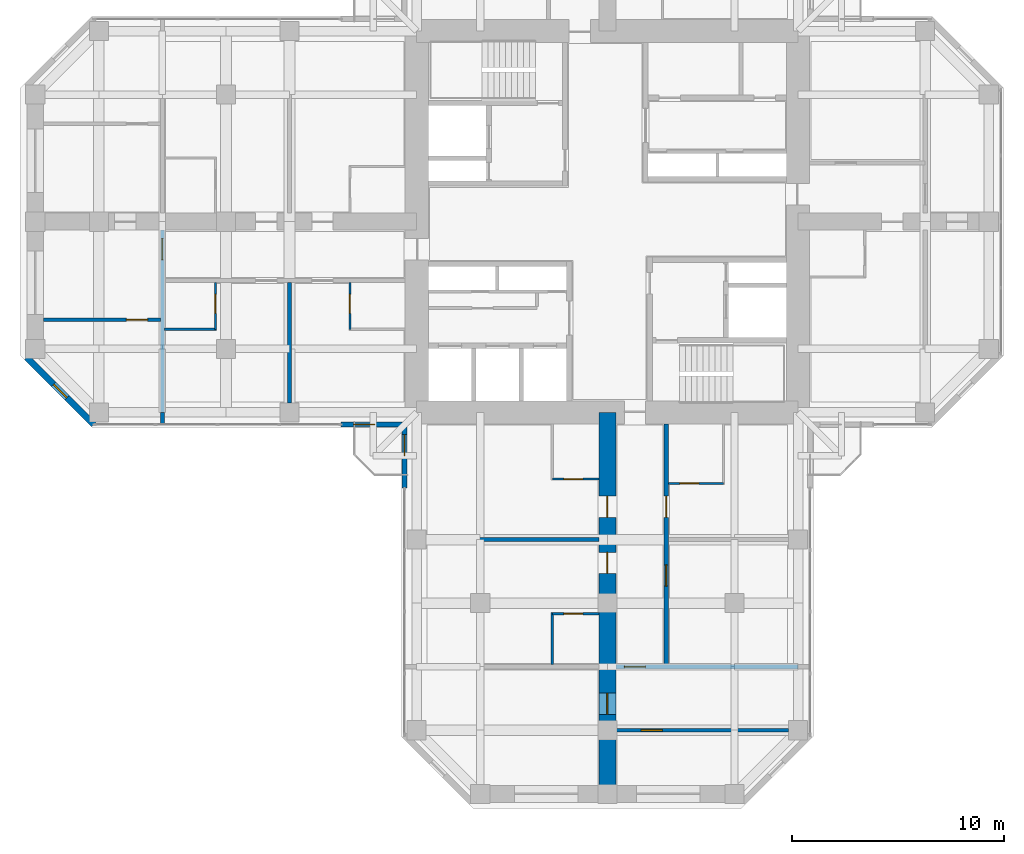
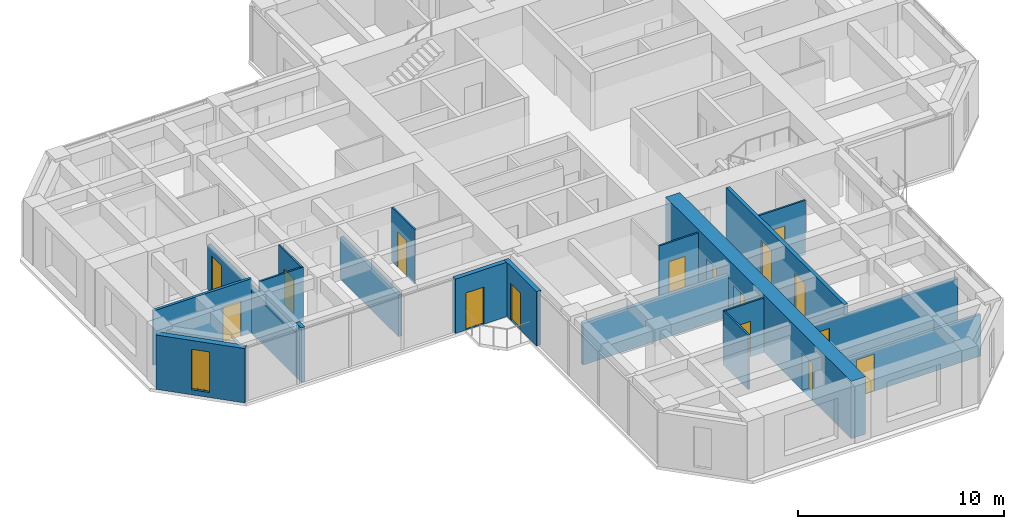
# One storey, part 8 of 13: 19 walls, 16 doors, 1 window, 17 openings.
"""IFC4 building model written with IfcOpenShell, lengths in metres."""

import ifcopenshell
import ifcopenshell.guid

model = None  # the IFC model being written
_history = None  # IfcOwnerHistory: only IFC2X3 demands one
_inside = {}  # id of a spatial element -> (the spatial element, [elements in it])
_under = {}  # id of a project, library or spatial element -> (it, [spatial elements below it])
_declared = {}  # id of a project -> (the project, [libraries it declares])
_typed = {}  # id of a type object -> (the type object, [elements of that type])
_made_of = {}  # id of a material, layer set ... -> (it, [elements and type objects made of it])


def new_model(schema):
    """Start an empty IFC model of exactly this schema.

    Asked for "IFC4X3", IfcOpenShell would pick the latest addendum, in which some entities
    have other attributes; the version numbers below select the first issue.
    IFC2X3 requires an IfcOwnerHistory on every rooted entity: one is made here for all.
    """
    global model, _history
    if schema == "IFC4X3":
        model = ifcopenshell.file(schema_version=(4, 3, 0, 0))
    else:
        model = ifcopenshell.file(schema=schema)
    _inside.clear()
    _under.clear()
    _declared.clear()
    _typed.clear()
    _made_of.clear()
    _history = None
    if model.schema == "IFC2X3":
        org = make("IfcOrganization", Name="unknown")
        user = make(
            "IfcPersonAndOrganization",
            ThePerson=make("IfcPerson", FamilyName="unknown"),
            TheOrganization=org,
        )
        app = make(
            "IfcApplication",
            ApplicationDeveloper=org,
            Version="unknown",
            ApplicationFullName="unknown",
            ApplicationIdentifier="unknown",
        )
        _history = make(
            "IfcOwnerHistory",
            OwningUser=user,
            OwningApplication=app,
            ChangeAction="ADDED",
            CreationDate=0,
        )
    return model


def make(cls, **values):
    """One entity of the class cls with the attributes given. An attribute that is None is left unset."""
    return model.create_entity(
        cls, **{name: value for name, value in values.items() if value is not None}
    )


def rooted(cls, **values):
    """An entity with a GlobalId (a new one), such as an element, a storey or a relation."""
    return make(cls, GlobalId=ifcopenshell.guid.new(), OwnerHistory=_history, **values)


def si_unit(unit_type, name, prefix=None):
    """IfcSIUnit, for example si_unit("LENGTHUNIT", "METRE", prefix="MILLI")."""
    return make("IfcSIUnit", UnitType=unit_type, Prefix=prefix, Name=name)


def assignment(units):
    """IfcUnitAssignment: the units of a project."""
    return None if units is None else make("IfcUnitAssignment", Units=units)


def point(xyz):
    """IfcCartesianPoint."""
    return None if xyz is None else make("IfcCartesianPoint", Coordinates=xyz)


def direction(xyz):
    """IfcDirection."""
    return None if xyz is None else make("IfcDirection", DirectionRatios=xyz)


def frame(location, z_axis=None, x_axis=None):
    """IfcAxis2Placement3D, a coordinate frame: its origin and axes. An axis left out is left unset."""
    return make(
        "IfcAxis2Placement3D",
        Location=point(location),
        Axis=direction(z_axis),
        RefDirection=direction(x_axis),
    )


def frame_2d(location, x_axis=None):
    """IfcAxis2Placement2D, a coordinate frame in the plane: its origin and x axis."""
    return make(
        "IfcAxis2Placement2D", Location=point(location), RefDirection=direction(x_axis)
    )


def origin():
    """The frame at (0, 0, 0) with its axes left unset."""
    return frame((0.0, 0.0, 0.0))


def place(relative_to, where):
    """IfcLocalPlacement: puts the frame where relative to a parent placement (None: the world)."""
    return make(
        "IfcLocalPlacement", PlacementRelTo=relative_to, RelativePlacement=where
    )


def context(
    kind, dimensions, precision=None, world=None, true_north=None, identifier=None
):
    """IfcGeometricRepresentationContext, for example the 3D "Model" context."""
    return make(
        "IfcGeometricRepresentationContext",
        ContextIdentifier=identifier,
        ContextType=kind,
        CoordinateSpaceDimension=dimensions,
        Precision=precision,
        WorldCoordinateSystem=world,
        TrueNorth=true_north,
    )


def subcontext(parent, identifier, kind, view, scale=None):
    """IfcGeometricRepresentationSubContext, for example "Body" below "Model"."""
    return make(
        "IfcGeometricRepresentationSubContext",
        ContextIdentifier=identifier,
        ContextType=kind,
        ParentContext=parent,
        TargetScale=scale,
        TargetView=view,
    )


def project(units=None, contexts=None):
    """IfcProject with its units and contexts."""
    return rooted(
        "IfcProject",
        Name="project",
        RepresentationContexts=contexts,
        UnitsInContext=assignment(units),
    )


def spatial(cls, under=None, at=None, **own):
    """A site, building, storey or space (cls), placed at a placement, below another one or the project."""
    s = rooted(cls, ObjectPlacement=at, **own)
    if under is not None:
        _under.setdefault(under.id(), (under, []))[1].append(s)
    return s


def profile(cls, at=None, kind="AREA", **sizes):
    """A parametric profile (cls). Its sizes go by their IFC names, for example OverallWidth=200.0."""
    return make(cls, ProfileType=kind, Position=at, **sizes)


def rectangle(**sizes):
    """IfcRectangleProfileDef."""
    return profile("IfcRectangleProfileDef", **sizes)


def hollow_rectangle(**sizes):
    """IfcRectangleHollowProfileDef."""
    return profile("IfcRectangleHollowProfileDef", **sizes)


def extrude(swept, where, along, depth):
    """IfcExtrudedAreaSolid: the profile swept, set in the frame where, extruded along a direction by depth."""
    return make(
        "IfcExtrudedAreaSolid",
        SweptArea=swept,
        Position=where,
        ExtrudedDirection=direction(along),
        Depth=depth,
    )


def shape(context_of_items, identifier, shape_type, items):
    """IfcShapeRepresentation: the items that make up one representation, for example the "Body"."""
    return make(
        "IfcShapeRepresentation",
        ContextOfItems=context_of_items,
        RepresentationIdentifier=identifier,
        RepresentationType=shape_type,
        Items=items,
    )


def material(Name=None, Category=None):
    """IfcMaterial."""
    return make("IfcMaterial", Name=Name, Category=Category)


def layer(
    of_material, thickness, ventilated=None, Name=None, Category=None, Priority=None
):
    """IfcMaterialLayer: one layer of a wall or slab, of a material (None: an air gap)."""
    return make(
        "IfcMaterialLayer",
        Material=of_material,
        LayerThickness=thickness,
        IsVentilated=ventilated,
        Name=Name,
        Category=Category,
        Priority=Priority,
    )


def layer_set(layers, Name=None):
    """IfcMaterialLayerSet."""
    return make("IfcMaterialLayerSet", MaterialLayers=layers, LayerSetName=Name)


def constituent(of_material, Name=None, Category=None, fraction=None):
    """IfcMaterialConstituent: one of the materials an element consists of."""
    return make(
        "IfcMaterialConstituent",
        Name=Name,
        Material=of_material,
        Fraction=fraction,
        Category=Category,
    )


def constituent_set(constituents=None, Name=None):
    """IfcMaterialConstituentSet."""
    return make(
        "IfcMaterialConstituentSet", Name=Name, MaterialConstituents=constituents
    )


def made_of(thing, what):
    """Note that an element or type object is made of a material, layer set ...; save() writes the relation."""
    if what is not None:
        _made_of.setdefault(what.id(), (what, []))[1].append(thing)
    return thing


def type_object(cls, material=None, **own):
    """A type object (cls), such as IfcWallType, which elements share."""
    return made_of(rooted(cls, **own), material)


def element(
    cls,
    number,
    at=None,
    inside=None,
    cuts=None,
    type_object=None,
    material=None,
    context=None,
    identifier="Body",
    shape_type=None,
    held_by="IfcProductDefinitionShape",
    body=None,
    shapes=None,
    **own,
):
    """One element of the class cls, such as IfcWall. Its Tag is "e" and its number.

    at: its placement. inside: the storey or other place that contains it. cuts: it is an
    opening in that element (IfcRelVoidsElement). A single representation is given by context,
    identifier, shape_type and body (its items); several are given by shapes. held_by: the class
    of the entity that holds the representations. save() writes the other relations.
    """
    e = rooted(cls, Tag="e%d" % number, ObjectPlacement=at, **own)
    if body is not None:
        shapes = [shape(context, identifier, shape_type, body)]
    if shapes is not None:
        e.Representation = make(held_by, Representations=shapes)
    if inside is not None:
        _inside.setdefault(inside.id(), (inside, []))[1].append(e)
    if cuts is not None:
        rooted(
            "IfcRelVoidsElement", RelatingBuildingElement=cuts, RelatedOpeningElement=e
        )
    if type_object is not None:
        _typed.setdefault(type_object.id(), (type_object, []))[1].append(e)
    return made_of(e, material)


def fill(opening, filler):
    """IfcRelFillsElement: the door or window that sits in an opening."""
    return rooted(
        "IfcRelFillsElement",
        RelatingOpeningElement=opening,
        RelatedBuildingElement=filler,
    )


def aggregate(whole, parts):
    """IfcRelAggregates: a whole, such as a stair, and the parts it consists of."""
    return rooted("IfcRelAggregates", RelatingObject=whole, RelatedObjects=parts)


def save(model, path):
    """Write the relations noted so far, then the file.

    IfcRelAggregates (storeys below a building ...), IfcRelContainedInSpatialStructure (elements
    in a storey), IfcRelDefinesByType, IfcRelAssociatesMaterial and IfcRelDeclares: one each for
    every whole, place, type object, material and project.
    """
    for whole, parts in _under.values():
        aggregate(whole, parts)
    for where, things in _inside.values():
        rooted(
            "IfcRelContainedInSpatialStructure",
            RelatedElements=things,
            RelatingStructure=where,
        )
    for kind, things in _typed.values():
        rooted("IfcRelDefinesByType", RelatedObjects=things, RelatingType=kind)
    for what, things in _made_of.values():
        rooted("IfcRelAssociatesMaterial", RelatedObjects=things, RelatingMaterial=what)
    for by, libraries in _declared.values():
        rooted("IfcRelDeclares", RelatingContext=by, RelatedDefinitions=libraries)
    model.write(path)


model = new_model("IFC4")

# Units and contexts
model_context = context("Model", 3, precision=1e-05, world=origin(), true_north=direction((0.0, 1.0)))
body_context = subcontext(model_context, "Body", "Model", "MODEL_VIEW")
ifc_project = project(units=[si_unit("LENGTHUNIT", "METRE"), si_unit("AREAUNIT", "SQUARE_METRE"), si_unit("VOLUMEUNIT", "CUBIC_METRE"), si_unit("PLANEANGLEUNIT", "RADIAN"), si_unit("MASSUNIT", "GRAM", prefix="KILO")], contexts=[model_context])

# Site, building, storey
site_placement = place(None, origin())
site = spatial("IfcSite", under=ifc_project, at=site_placement, CompositionType="ELEMENT")
building_placement = place(site_placement, origin())
building = spatial("IfcBuilding", under=site, at=building_placement, Name="Torre Cruceta", CompositionType="ELEMENT")
storey_placement = place(building_placement, frame((0.0, 0.0, 196.699951171875)))
storey = spatial("IfcBuildingStorey", under=building, at=storey_placement, Name="L49", CompositionType="ELEMENT", Elevation=196.699951171875)

# Wall, opening, door
ifc_material_1 = material(Name="Water-resistant plasterboard on steel studs", Category="steel")
ifc_layer_1 = layer(ifc_material_1, 0.10009765625)
ifc_layer_set_1 = layer_set([ifc_layer_1], Name="Water-resistant plasterboard on steel studs")
wall_type_1 = type_object("IfcWallType", Name="BATHROOM WALL 100", PredefinedType="PARTITIONING", material=ifc_layer_set_1)
wall_1_placement = place(storey_placement, frame((2.875, -12.35009765625, 0.0), z_axis=(0.0, 0.0, 1.0), x_axis=(1.0, 0.0, 0.0)))
wall_1 = element("IfcWall", 1, at=wall_1_placement, inside=storey, type_object=wall_type_1, Name="PT4 L49-S-U1LBS", PredefinedType="PARTITIONING", context=body_context, shape_type="SweptSolid", body=[
    extrude(rectangle(XDim=2.60009765625, YDim=0.10009765625, at=frame_2d((1.300048828125, 0.0))), origin(), (0.0, 0.0, 1.0), 3.219970703125),
])
opening_1_placement = place(wall_1_placement, frame((0.550048828125, 0.0, 0.0)))
opening_1 = element("IfcOpeningElement", 2, at=opening_1_placement, cuts=wall_1, Name="Opening D7", PredefinedType="OPENING", context=body_context, shape_type="SweptSolid", body=[
    extrude(rectangle(XDim=0.89990234375, YDim=2.10009765625, at=frame_2d((0.449951171875, 1.050048828125))), frame((0.0, 0.06005859375, 0.0), z_axis=(0.0, -1.0, 0.0), x_axis=(1.0, 0.0, 0.0)), (0.0, 0.0, 1.0), 0.1201171875),
])
ifc_material_2 = material(Name="Timber door", Category="wood")
door_type_1 = type_object("IfcDoorType", Name="BATHROOM DOOR 900X2100", OperationType="SINGLE_SWING_LEFT", PredefinedType="DOOR", material=ifc_material_2)
door_1_placement = place(opening_1_placement, origin())
door_1 = element("IfcDoor", 3, at=door_1_placement, inside=storey, type_object=door_type_1, Name="D7 L49-S-U1LBS-D1", OperationType="SINGLE_SWING_LEFT", OverallHeight=2.10009765625, OverallWidth=0.89990234375, PredefinedType="DOOR", context=body_context, shape_type="SweptSolid", body=[
    extrude(rectangle(XDim=0.89990234375, YDim=2.10009765625, at=frame_2d((0.449951171875, 1.050048828125))), frame((0.0, 0.02490234375, 0.0), z_axis=(0.0, -1.0, 0.0), x_axis=(1.0, 0.0, 0.0)), (0.0, 0.0, 1.0), 0.050048828125),
])
fill(opening_1, door_1)

wall_2_placement = place(storey_placement, frame((-2.60009765625, -12.14990234375, 0.0), z_axis=(0.0, 0.0, 1.0), x_axis=(1.0, 0.0, 0.0)))
wall_2 = element("IfcWall", 4, at=wall_2_placement, inside=storey, type_object=wall_type_1, Name="PT4 L49-S-U1RBS", PredefinedType="PARTITIONING", context=body_context, shape_type="SweptSolid", body=[
    extrude(rectangle(XDim=2.2001953125, YDim=0.10009765625, at=frame_2d((1.10009765625, 0.0))), origin(), (0.0, 0.0, 1.0), 3.219970703125),
])
opening_2_placement = place(wall_2_placement, frame((0.550048828125, 0.0, 0.0)))
opening_2 = element("IfcOpeningElement", 5, at=opening_2_placement, cuts=wall_2, Name="Opening D7", PredefinedType="OPENING", context=body_context, shape_type="SweptSolid", body=[
    extrude(rectangle(XDim=0.89990234375, YDim=2.10009765625, at=frame_2d((0.449951171875, 1.050048828125))), frame((0.0, 0.06005859375, 0.0), z_axis=(0.0, -1.0, 0.0), x_axis=(1.0, 0.0, 0.0)), (0.0, 0.0, 1.0), 0.1201171875),
])
door_2_placement = place(opening_2_placement, origin())
door_2 = element("IfcDoor", 6, at=door_2_placement, inside=storey, type_object=door_type_1, Name="D7 L49-S-U1RBS-D1", OperationType="SINGLE_SWING_LEFT", OverallHeight=2.10009765625, OverallWidth=0.89990234375, PredefinedType="DOOR", context=body_context, shape_type="SweptSolid", body=[
    extrude(rectangle(XDim=0.89990234375, YDim=2.10009765625, at=frame_2d((0.449951171875, 1.050048828125))), frame((0.0, 0.02490234375, 0.0), z_axis=(0.0, -1.0, 0.0), x_axis=(1.0, 0.0, 0.0)), (0.0, 0.0, 1.0), 0.050048828125),
])
fill(opening_2, door_2)

# Wall
wall_3_placement = place(storey_placement, frame((-2.60009765625, -18.449951171875, 0.0), z_axis=(0.0, 0.0, 1.0), x_axis=(0.0, -1.0, 0.0)))
element("IfcWall", 7, at=wall_3_placement, inside=storey, type_object=wall_type_1, Name="PT4 L49-S-U2RBB", PredefinedType="PARTITIONING", context=body_context, shape_type="SweptSolid", body=[
    extrude(rectangle(XDim=2.449951171875, YDim=0.10009765625, at=frame_2d((1.22509765625, 0.0))), origin(), (0.0, 0.0, 1.0), 3.219970703125),
])

# Wall, opening, door
wall_4_placement = place(storey_placement, frame((-2.60009765625, -18.5, 0.0), z_axis=(0.0, 0.0, 1.0), x_axis=(1.0, 0.0, 0.0)))
wall_4 = element("IfcWall", 8, at=wall_4_placement, inside=storey, type_object=wall_type_1, Name="PT4 L49-S-U2RBS", PredefinedType="PARTITIONING", context=body_context, shape_type="SweptSolid", body=[
    extrude(rectangle(XDim=2.2001953125, YDim=0.10009765625, at=frame_2d((1.10009765625, 0.0))), origin(), (0.0, 0.0, 1.0), 3.219970703125),
])
opening_3_placement = place(wall_4_placement, frame((0.550048828125, 0.0, 0.0)))
opening_3 = element("IfcOpeningElement", 9, at=opening_3_placement, cuts=wall_4, Name="Opening D7", PredefinedType="OPENING", context=body_context, shape_type="SweptSolid", body=[
    extrude(rectangle(XDim=0.89990234375, YDim=2.10009765625, at=frame_2d((0.449951171875, 1.050048828125))), frame((0.0, 0.06005859375, 0.0), z_axis=(0.0, -1.0, 0.0), x_axis=(1.0, 0.0, 0.0)), (0.0, 0.0, 1.0), 0.1201171875),
])
door_3_placement = place(opening_3_placement, frame((0.89990234375, 0.0, 0.0), z_axis=(0.0, 0.0, 1.0), x_axis=(-1.0, 0.0, 0.0)))
door_3 = element("IfcDoor", 10, at=door_3_placement, inside=storey, type_object=door_type_1, Name="D7 L49-S-U2RBS-D1", OperationType="SINGLE_SWING_RIGHT", OverallHeight=2.10009765625, OverallWidth=0.89990234375, PredefinedType="DOOR", context=body_context, shape_type="SweptSolid", body=[
    extrude(rectangle(XDim=0.89990234375, YDim=2.10009765625, at=frame_2d((0.449951171875, 1.050048828125))), frame((0.0, 0.025146484375, 0.0), z_axis=(0.0, -1.0, 0.0), x_axis=(1.0, 0.0, 0.0)), (0.0, 0.0, 1.0), 0.050048828125),
])
fill(opening_3, door_3)

wall_5_placement = place(storey_placement, frame((-12.14990234375, -2.875, 0.0), z_axis=(0.0, 0.0, 1.0), x_axis=(0.0, -1.0, 0.0)))
wall_5 = element("IfcWall", 11, at=wall_5_placement, inside=storey, type_object=wall_type_1, Name="PT4 L49-W-U1LBS", PredefinedType="PARTITIONING", context=body_context, shape_type="SweptSolid", body=[
    extrude(rectangle(XDim=2.199951171875, YDim=0.10009765625, at=frame_2d((1.10009765625, 0.0))), origin(), (0.0, 0.0, 1.0), 3.219970703125),
])
opening_4_placement = place(wall_5_placement, frame((0.550048828125, 0.0, 0.0)))
opening_4 = element("IfcOpeningElement", 12, at=opening_4_placement, cuts=wall_5, Name="Opening D7", PredefinedType="OPENING", context=body_context, shape_type="SweptSolid", body=[
    extrude(rectangle(XDim=0.89990234375, YDim=2.10009765625, at=frame_2d((0.449951171875, 1.050048828125))), frame((0.0, 0.06005859375, 0.0), z_axis=(0.0, -1.0, 0.0), x_axis=(1.0, 0.0, 0.0)), (0.0, 0.0, 1.0), 0.1201171875),
])
door_4_placement = place(opening_4_placement, origin())
door_4 = element("IfcDoor", 13, at=door_4_placement, inside=storey, type_object=door_type_1, Name="D7 L49-W-U1LBS-D1", OperationType="SINGLE_SWING_LEFT", OverallHeight=2.10009765625, OverallWidth=0.89990234375, PredefinedType="DOOR", context=body_context, shape_type="SweptSolid", body=[
    extrude(rectangle(XDim=0.89990234375, YDim=2.10009765625, at=frame_2d((0.449951171875, 1.050048828125))), frame((0.0, 0.02490234375, 0.0), z_axis=(0.0, -1.0, 0.0), x_axis=(1.0, 0.0, 0.0)), (0.0, 0.0, 1.0), 0.050048828125),
])
fill(opening_4, door_4)

# Wall
wall_6_placement = place(storey_placement, frame((-18.449951171875, -5.074951171875, 0.0), z_axis=(0.0, 0.0, 1.0), x_axis=(-1.0, 0.0, 0.0)))
element("IfcWall", 14, at=wall_6_placement, inside=storey, type_object=wall_type_1, Name="PT4 L49-W-U2LBB", PredefinedType="PARTITIONING", context=body_context, shape_type="SweptSolid", body=[
    extrude(rectangle(XDim=2.449951171875, YDim=0.10009765625, at=frame_2d((1.22509765625, 0.0))), origin(), (0.0, 0.0, 1.0), 3.219970703125),
])

# Wall, opening, door
wall_7_placement = place(storey_placement, frame((-18.5, -2.875, 0.0), z_axis=(0.0, 0.0, 1.0), x_axis=(0.0, -1.0, 0.0)))
wall_7 = element("IfcWall", 15, at=wall_7_placement, inside=storey, type_object=wall_type_1, Name="PT4 L49-W-U2LBS", PredefinedType="PARTITIONING", context=body_context, shape_type="SweptSolid", body=[
    extrude(rectangle(XDim=2.199951171875, YDim=0.10009765625, at=frame_2d((1.10009765625, 0.0))), origin(), (0.0, 0.0, 1.0), 3.219970703125),
])
opening_5_placement = place(wall_7_placement, frame((0.550048828125, 0.0, 0.0)))
opening_5 = element("IfcOpeningElement", 16, at=opening_5_placement, cuts=wall_7, Name="Opening D7", PredefinedType="OPENING", context=body_context, shape_type="SweptSolid", body=[
    extrude(rectangle(XDim=0.89990234375, YDim=2.10009765625, at=frame_2d((0.449951171875, 1.050048828125))), frame((0.0, 0.06005859375, 0.0), z_axis=(0.0, -1.0, 0.0), x_axis=(1.0, 0.0, 0.0)), (0.0, 0.0, 1.0), 0.1201171875),
])
door_5_placement = place(opening_5_placement, frame((0.89990234375, 0.0, 0.0), z_axis=(0.0, 0.0, 1.0), x_axis=(-1.0, 0.0, 0.0)))
door_5 = element("IfcDoor", 17, at=door_5_placement, inside=storey, type_object=door_type_1, Name="D7 L49-W-U2LBS-D1", OperationType="SINGLE_SWING_RIGHT", OverallHeight=2.10009765625, OverallWidth=0.89990234375, PredefinedType="DOOR", context=body_context, shape_type="SweptSolid", body=[
    extrude(rectangle(XDim=0.89990234375, YDim=2.10009765625, at=frame_2d((0.449951171875, 1.050048828125))), frame((0.0, 0.025146484375, 0.0), z_axis=(0.0, -1.0, 0.0), x_axis=(1.0, 0.0, 0.0)), (0.0, 0.0, 1.0), 0.050048828125),
])
fill(opening_5, door_5)

# Wall, openings, doors
ifc_material_3 = material(Name="Concrete G25 (fck 25 MPa)", Category="concrete")
ifc_layer_2 = layer(ifc_material_3, 0.199951171875)
ifc_layer_set_2 = layer_set([ifc_layer_2], Name="Concrete G25 (fck 25 MPa)")
wall_type_2 = type_object("IfcWallType", Name="CORRIDOR WALL 200", PredefinedType="SOLIDWALL", material=ifc_layer_set_2)
wall_8_placement = place(storey_placement, frame((2.77490234375, -9.550048828125, 0.0), z_axis=(0.0, 0.0, 1.0), x_axis=(0.0, -1.0, 0.0)))
wall_8 = element("IfcWall", 18, at=wall_8_placement, inside=storey, type_object=wall_type_2, Name="PT3 L49-S-CL", PredefinedType="SOLIDWALL", context=body_context, shape_type="SweptSolid", body=[
    extrude(rectangle(XDim=11.449951171875, YDim=0.199951171875, at=frame_2d((5.72509765625, 0.0))), origin(), (0.0, 0.0, 1.0), 3.219970703125),
])
opening_6_placement = place(wall_8_placement, frame((3.39990234375, 0.0, 0.0)))
opening_6 = element("IfcOpeningElement", 19, at=opening_6_placement, cuts=wall_8, Name="Opening D6", PredefinedType="OPENING", context=body_context, shape_type="SweptSolid", body=[
    extrude(rectangle(XDim=1.0, YDim=2.14990234375, at=frame_2d((0.5, 1.074951171875))), frame((0.0, 0.10986328125, 0.0), z_axis=(0.0, -1.0, 0.0), x_axis=(1.0, 0.0, 0.0)), (0.0, 0.0, 1.0), 0.219970703125),
])
opening_7_placement = place(wall_8_placement, frame((6.64990234375, 0.0, 0.0)))
opening_7 = element("IfcOpeningElement", 20, at=opening_7_placement, cuts=wall_8, Name="Opening D14", PredefinedType="OPENING", context=body_context, shape_type="SweptSolid", body=[
    extrude(rectangle(XDim=1.0, YDim=2.199951171875, at=frame_2d((0.5, 1.10009765625))), frame((0.0, 0.10986328125, 0.0), z_axis=(0.0, -1.0, 0.0), x_axis=(1.0, 0.0, 0.0)), (0.0, 0.0, 1.0), 0.219970703125),
])
ifc_material_4 = material(Name="Steel DX51D", Category="steel")
ifc_constituent_1 = constituent(ifc_material_4, Name="Leaf and frame")
ifc_material_5 = material(Name="Polyester powder coating", Category="paint")
ifc_constituent_2 = constituent(ifc_material_5, Name="Finish")
ifc_material_6 = material(Name="Fire-resisting glass", Category="glass")
ifc_constituent_3 = constituent(ifc_material_6, Name="Vision panel")
ifc_constituent_set_1 = constituent_set(constituents=[ifc_constituent_1, ifc_constituent_2, ifc_constituent_3], Name="Steel fire door with vision panel")
door_type_2 = type_object("IfcDoorType", Name="FIRE DOOR VISION PANEL 1000X2200", OperationType="SINGLE_SWING_RIGHT", PredefinedType="DOOR", material=ifc_constituent_set_1)
door_6_placement = place(opening_7_placement, origin())
door_6 = element("IfcDoor", 21, at=door_6_placement, inside=storey, type_object=door_type_2, Name="D14 L49-S-CL-D2", OperationType="SINGLE_SWING_LEFT", OverallHeight=2.199951171875, OverallWidth=1.0, PredefinedType="DOOR", context=body_context, shape_type="SweptSolid", body=[
    extrude(rectangle(XDim=1.0, YDim=2.199951171875, at=frame_2d((0.5, 1.10009765625))), frame((0.0, 0.02490234375, 0.0), z_axis=(0.0, -1.0, 0.0), x_axis=(1.0, 0.0, 0.0)), (0.0, 0.0, 1.0), 0.050048828125),
])
fill(opening_7, door_6)
ifc_material_7 = material(Name="Timber fire door", Category="wood")
door_type_3 = type_object("IfcDoorType", Name="UNIT ENTRANCE DOOR 1000X2150", OperationType="SINGLE_SWING_LEFT", PredefinedType="DOOR", material=ifc_material_7)
door_7_placement = place(opening_6_placement, origin())
door_7 = element("IfcDoor", 22, at=door_7_placement, inside=storey, type_object=door_type_3, Name="D6 L49-S-CL-D1", OperationType="SINGLE_SWING_LEFT", OverallHeight=2.14990234375, OverallWidth=1.0, PredefinedType="DOOR", context=body_context, shape_type="SweptSolid", body=[
    extrude(rectangle(XDim=1.0, YDim=2.14990234375, at=frame_2d((0.5, 1.074951171875))), frame((0.0, 0.02490234375, 0.0), z_axis=(0.0, -1.0, 0.0), x_axis=(1.0, 0.0, 0.0)), (0.0, 0.0, 1.0), 0.050048828125),
])
fill(opening_6, door_7)

# Wall, opening, window
ifc_material_8 = material(Name="Concrete G30 (fck 30 MPa)", Category="concrete")
ifc_layer_3 = layer(ifc_material_8, 0.300048828125)
ifc_layer_set_3 = layer_set([ifc_layer_3], Name="Concrete G30 (fck 30 MPa)")
wall_type_3 = type_object("IfcWallType", Name="EXPOSED CONCRETE FACADE WALL 300", PredefinedType="SOLIDWALL", material=ifc_layer_set_3)
wall_9_placement = place(storey_placement, frame((-27.39990234375, -6.406005859375, 0.0), z_axis=(0.0, 0.0, 1.0), x_axis=(0.707079499254, -0.707134062067, 0.0)))
wall_9 = element("IfcWall", 23, at=wall_9_placement, inside=storey, type_object=wall_type_3, Name="EW1 facade wall L49 W chamfer 13", PredefinedType="SOLIDWALL", context=body_context, shape_type="SweptSolid", body=[
    extrude(rectangle(XDim=4.474609375, YDim=0.300048828125, at=frame_2d((2.2373046875, 0.0))), origin(), (0.0, 0.0, 1.0), 3.219970703125),
])
opening_8_placement = place(wall_9_placement, frame((1.787109375, 0.0, 0.300048828125)))
opening_8 = element("IfcOpeningElement", 24, at=opening_8_placement, cuts=wall_9, Name="Opening WN5", PredefinedType="OPENING", context=body_context, shape_type="SweptSolid", body=[
    extrude(rectangle(XDim=0.89990234375, YDim=2.39990234375, at=frame_2d((0.449951171875, 1.199951171875))), frame((0.0, 0.159912109375, 0.0), z_axis=(0.0, -1.0, 0.0), x_axis=(1.0, 0.0, 0.0)), (0.0, 0.0, 1.0), 0.320068359375),
])
ifc_material_9 = material(Name="Aluminium window frame", Category="aluminium")
ifc_constituent_4 = constituent(ifc_material_9, Name="Frame")
ifc_material_10 = material(Name="Laminated insulating glass unit, low-iron clear", Category="glass")
ifc_constituent_5 = constituent(ifc_material_10, Name="Glazing")
ifc_constituent_set_2 = constituent_set(constituents=[ifc_constituent_4, ifc_constituent_5], Name="Aluminium window")
window_type = type_object("IfcWindowType", Name="CHAMFER SLOT WINDOW 900X2400", PartitioningType="SINGLE_PANEL", PredefinedType="WINDOW", material=ifc_constituent_set_2)
window_placement = place(opening_8_placement, origin())
window = element("IfcWindow", 25, at=window_placement, inside=storey, type_object=window_type, Name="WN5 L49 W 1", OverallHeight=2.39990234375, OverallWidth=0.89990234375, PartitioningType="SINGLE_PANEL", PredefinedType="WINDOW", context=body_context, shape_type="SweptSolid", body=[
    extrude(hollow_rectangle(XDim=0.89990234375, YDim=2.39990234375, WallThickness=0.06005859375, at=frame_2d((0.449951171875, 1.199951171875))), frame((0.0, 0.030029296875, 0.0), z_axis=(0.0, -1.0, 0.0), x_axis=(1.0, 0.0, 0.0)), (0.0, 0.0, 1.0), 0.06005859375),
    extrude(rectangle(XDim=0.77880859375, YDim=2.27880859375, at=frame_2d((0.449951171875, 1.199951171875))), frame((0.0, 0.030029296875, 0.0), z_axis=(0.0, -1.0, 0.0), x_axis=(1.0, 0.0, 0.0)), (0.0, 0.0, 1.0), 0.06005859375),
])
fill(opening_8, window)

# Wall, opening, door
ifc_material_11 = material(Name="Plasterboard on steel studs", Category="steel")
ifc_layer_4 = layer(ifc_material_11, 0.14990234375)
ifc_layer_set_4 = layer_set([ifc_layer_4], Name="Plasterboard on steel studs")
wall_type_4 = type_object("IfcWallType", Name="PARTITION 150", PredefinedType="PARTITIONING", material=ifc_layer_set_4)
wall_10_placement = place(storey_placement, frame((0.39990234375, -24.0, 0.0), z_axis=(0.0, 0.0, 1.0), x_axis=(1.0, 0.0, 0.0)))
wall_10 = element("IfcWall", 26, at=wall_10_placement, inside=storey, type_object=wall_type_4, Name="PT1 L49-S-ENDX", PredefinedType="PARTITIONING", context=body_context, shape_type="SweptSolid", body=[
    extrude(rectangle(XDim=8.150146484375, YDim=0.14990234375, at=frame_2d((4.0751953125, 0.0))), origin(), (0.0, 0.0, 1.0), 2.469970703125),
])
opening_9_placement = place(wall_10_placement, frame((1.199951171875, 0.0, 0.0)))
opening_9 = element("IfcOpeningElement", 27, at=opening_9_placement, cuts=wall_10, Name="Opening D14", PredefinedType="OPENING", context=body_context, shape_type="SweptSolid", body=[
    extrude(rectangle(XDim=1.0, YDim=2.199951171875, at=frame_2d((0.5, 1.10009765625))), frame((0.0, 0.0849609375, 0.0), z_axis=(0.0, -1.0, 0.0), x_axis=(1.0, 0.0, 0.0)), (0.0, 0.0, 1.0), 0.169921875),
])
door_8_placement = place(opening_9_placement, frame((1.0, 0.0, 0.0), z_axis=(0.0, 0.0, 1.0), x_axis=(-1.0, 0.0, 0.0)))
door_8 = element("IfcDoor", 28, at=door_8_placement, inside=storey, type_object=door_type_2, Name="D14 L49-S-ENDX-D1", OperationType="SINGLE_SWING_RIGHT", OverallHeight=2.199951171875, OverallWidth=1.0, PredefinedType="DOOR", context=body_context, shape_type="SweptSolid", body=[
    extrude(rectangle(XDim=1.0, YDim=2.199951171875, at=frame_2d((0.5, 1.10009765625))), frame((0.0, 0.025146484375, 0.0), z_axis=(0.0, -1.0, 0.0), x_axis=(1.0, 0.0, 0.0)), (0.0, 0.0, 1.0), 0.050048828125),
])
fill(opening_9, door_8)

wall_11_placement = place(storey_placement, frame((-21.10009765625, -4.625, 0.0), z_axis=(0.0, 0.0, 1.0), x_axis=(-1.0, 0.0, 0.0)))
wall_11 = element("IfcWall", 29, at=wall_11_placement, inside=storey, type_object=wall_type_4, Name="PT1 L49-W-ENDX", PredefinedType="PARTITIONING", context=body_context, shape_type="SweptSolid", body=[
    extrude(rectangle(XDim=5.5, YDim=0.14990234375, at=frame_2d((2.75, 0.0))), origin(), (0.0, 0.0, 1.0), 3.219970703125),
])
opening_10_placement = place(wall_11_placement, frame((0.60009765625, 0.0, 0.0)))
opening_10 = element("IfcOpeningElement", 30, at=opening_10_placement, cuts=wall_11, Name="Opening D3", PredefinedType="OPENING", context=body_context, shape_type="SweptSolid", body=[
    extrude(rectangle(XDim=1.0, YDim=2.10009765625, at=frame_2d((0.5, 1.050048828125))), frame((0.0, 0.0849609375, 0.0), z_axis=(0.0, -1.0, 0.0), x_axis=(1.0, 0.0, 0.0)), (0.0, 0.0, 1.0), 0.169921875),
])
ifc_material_12 = material(Name="Steel DX51D", Category="steel")
ifc_constituent_6 = constituent(ifc_material_12, Name="Leaf and frame")
ifc_material_13 = material(Name="Polyester powder coating", Category="paint")
ifc_constituent_7 = constituent(ifc_material_13, Name="Finish")
ifc_constituent_set_3 = constituent_set(constituents=[ifc_constituent_6, ifc_constituent_7], Name="Steel fire door")
door_type_4 = type_object("IfcDoorType", Name="FIRE DOOR 1000X2100", OperationType="SINGLE_SWING_LEFT", PredefinedType="DOOR", material=ifc_constituent_set_3)
door_9_placement = place(opening_10_placement, origin())
door_9 = element("IfcDoor", 31, at=door_9_placement, inside=storey, type_object=door_type_4, Name="D3 L49-W-ENDX-D1", OperationType="SINGLE_SWING_LEFT", OverallHeight=2.10009765625, OverallWidth=1.0, PredefinedType="DOOR", context=body_context, shape_type="SweptSolid", body=[
    extrude(rectangle(XDim=1.0, YDim=2.10009765625, at=frame_2d((0.5, 1.050048828125))), frame((0.0, 0.02490234375, 0.0), z_axis=(0.0, -1.0, 0.0), x_axis=(1.0, 0.0, 0.0)), (0.0, 0.0, 1.0), 0.050048828125),
])
fill(opening_10, door_9)

# Wall, openings, doors
ifc_material_14 = material(Name="Concrete G60 (fck 60 MPa)", Category="concrete")
ifc_layer_5 = layer(ifc_material_14, 0.800048828125)
ifc_layer_set_5 = layer_set([ifc_layer_5], Name="Concrete G60 (fck 60 MPa)")
wall_type_5 = type_object("IfcWallType", Name="SPINE WALL 800 G60", PredefinedType="SHEAR", material=ifc_layer_set_5)
wall_12_placement = place(storey_placement, frame((0.0, -9.0, 0.0), z_axis=(0.0, 0.0, 1.0), x_axis=(0.0, -1.0, 0.0)))
wall_12 = element("IfcWall", 32, at=wall_12_placement, inside=storey, type_object=wall_type_5, Name="SW4 spine wall L49 S", PredefinedType="SHEAR", context=body_context, shape_type="SweptSolid", body=[
    extrude(rectangle(XDim=18.0, YDim=0.800048828125, at=frame_2d((9.0, 0.0))), origin(), (0.0, 0.0, 1.0), 3.400146484375),
])
opening_11_placement = place(wall_12_placement, frame((3.949951171875, 0.0, 0.0)))
opening_11 = element("IfcOpeningElement", 33, at=opening_11_placement, cuts=wall_12, Name="Opening D6", PredefinedType="OPENING", context=body_context, shape_type="SweptSolid", body=[
    extrude(rectangle(XDim=1.0, YDim=2.14990234375, at=frame_2d((0.5, 1.074951171875))), frame((0.0, 0.409912109375, 0.0), z_axis=(0.0, -1.0, 0.0), x_axis=(1.0, 0.0, 0.0)), (0.0, 0.0, 1.0), 0.820068359375),
])
opening_12_placement = place(wall_12_placement, frame((6.60009765625, 0.0, 0.0)))
opening_12 = element("IfcOpeningElement", 34, at=opening_12_placement, cuts=wall_12, Name="Opening D6", PredefinedType="OPENING", context=body_context, shape_type="SweptSolid", body=[
    extrude(rectangle(XDim=1.0, YDim=2.14990234375, at=frame_2d((0.5, 1.074951171875))), frame((0.0, 0.409912109375, 0.0), z_axis=(0.0, -1.0, 0.0), x_axis=(1.0, 0.0, 0.0)), (0.0, 0.0, 1.0), 0.820068359375),
])
opening_13_placement = place(wall_12_placement, frame((13.25, 0.0, 0.0)))
opening_13 = element("IfcOpeningElement", 35, at=opening_13_placement, cuts=wall_12, Name="Opening D14", PredefinedType="OPENING", context=body_context, shape_type="SweptSolid", body=[
    extrude(rectangle(XDim=1.0, YDim=2.199951171875, at=frame_2d((0.5, 1.10009765625))), frame((0.0, 0.409912109375, 0.0), z_axis=(0.0, -1.0, 0.0), x_axis=(1.0, 0.0, 0.0)), (0.0, 0.0, 1.0), 0.820068359375),
])
door_10_placement = place(opening_13_placement, origin())
door_10 = element("IfcDoor", 36, at=door_10_placement, inside=storey, type_object=door_type_2, Name="D14 L49-S-SP3", OperationType="SINGLE_SWING_RIGHT", OverallHeight=2.199951171875, OverallWidth=1.0, PredefinedType="DOOR", context=body_context, shape_type="SweptSolid", body=[
    extrude(rectangle(XDim=1.0, YDim=2.199951171875, at=frame_2d((0.5, 1.10009765625))), frame((0.0, 0.02490234375, 0.0), z_axis=(0.0, -1.0, 0.0), x_axis=(1.0, 0.0, 0.0)), (0.0, 0.0, 1.0), 0.050048828125),
])
fill(opening_13, door_10)
door_11_placement = place(opening_11_placement, frame((1.0, 0.0, 0.0), z_axis=(0.0, 0.0, 1.0), x_axis=(-1.0, 0.0, 0.0)))
door_11 = element("IfcDoor", 37, at=door_11_placement, inside=storey, type_object=door_type_3, Name="D6 L49-S-SP1", OperationType="SINGLE_SWING_RIGHT", OverallHeight=2.14990234375, OverallWidth=1.0, PredefinedType="DOOR", context=body_context, shape_type="SweptSolid", body=[
    extrude(rectangle(XDim=1.0, YDim=2.14990234375, at=frame_2d((0.5, 1.074951171875))), frame((0.0, 0.025146484375, 0.0), z_axis=(0.0, -1.0, 0.0), x_axis=(1.0, 0.0, 0.0)), (0.0, 0.0, 1.0), 0.050048828125),
])
fill(opening_11, door_11)
door_12_placement = place(opening_12_placement, frame((1.0, 0.0, 0.0), z_axis=(0.0, 0.0, 1.0), x_axis=(-1.0, 0.0, 0.0)))
door_12 = element("IfcDoor", 38, at=door_12_placement, inside=storey, type_object=door_type_3, Name="D6 L49-S-SP2", OperationType="SINGLE_SWING_RIGHT", OverallHeight=2.14990234375, OverallWidth=1.0, PredefinedType="DOOR", context=body_context, shape_type="SweptSolid", body=[
    extrude(rectangle(XDim=1.0, YDim=2.14990234375, at=frame_2d((0.5, 1.074951171875))), frame((0.0, 0.025146484375, 0.0), z_axis=(0.0, -1.0, 0.0), x_axis=(1.0, 0.0, 0.0)), (0.0, 0.0, 1.0), 0.050048828125),
])
fill(opening_12, door_12)

# Wall
ifc_material_15 = material(Name="Concrete G25 (fck 25 MPa)", Category="concrete")
ifc_layer_6 = layer(ifc_material_15, 0.199951171875)
ifc_layer_set_6 = layer_set([ifc_layer_6], Name="Concrete G25 (fck 25 MPa)")
wall_type_6 = type_object("IfcWallType", Name="UNIT SEPARATING WALL 200", PredefinedType="SOLIDWALL", material=ifc_layer_set_6)
wall_13_placement = place(storey_placement, frame((-8.550048828125, -15.0, 0.0), z_axis=(0.0, 0.0, 1.0), x_axis=(1.0, 0.0, 0.0)))
element("IfcWall", 39, at=wall_13_placement, inside=storey, type_object=wall_type_6, Name="PT2 L49-S-P1R", PredefinedType="SOLIDWALL", context=body_context, shape_type="SweptSolid", body=[
    extrude(rectangle(XDim=8.150146484375, YDim=0.199951171875, at=frame_2d((4.0751953125, 0.0))), origin(), (0.0, 0.0, 1.0), 2.469970703125),
])

# Wall, opening, door
wall_14_placement = place(storey_placement, frame((0.39990234375, -21.0, 0.0), z_axis=(0.0, 0.0, 1.0), x_axis=(1.0, 0.0, 0.0)))
wall_14 = element("IfcWall", 40, at=wall_14_placement, inside=storey, type_object=wall_type_6, Name="PT2 L49-S-ENDb", PredefinedType="SOLIDWALL", context=body_context, shape_type="SweptSolid", body=[
    extrude(rectangle(XDim=8.60009765625, YDim=0.199951171875, at=frame_2d((4.300048828125, 0.0))), origin(), (0.0, 0.0, 1.0), 2.6201171875),
])
opening_14_placement = place(wall_14_placement, frame((0.39990234375, 0.0, 0.0)))
opening_14 = element("IfcOpeningElement", 41, at=opening_14_placement, cuts=wall_14, Name="Opening D14", PredefinedType="OPENING", context=body_context, shape_type="SweptSolid", body=[
    extrude(rectangle(XDim=1.0, YDim=2.199951171875, at=frame_2d((0.5, 1.10009765625))), frame((0.0, 0.10986328125, 0.0), z_axis=(0.0, -1.0, 0.0), x_axis=(1.0, 0.0, 0.0)), (0.0, 0.0, 1.0), 0.219970703125),
])
door_13_placement = place(opening_14_placement, frame((1.0, 0.0, 0.0), z_axis=(0.0, 0.0, 1.0), x_axis=(-1.0, 0.0, 0.0)))
door_13 = element("IfcDoor", 42, at=door_13_placement, inside=storey, type_object=door_type_2, Name="D14 L49-S-ENDb-D1", OperationType="SINGLE_SWING_RIGHT", OverallHeight=2.199951171875, OverallWidth=1.0, PredefinedType="DOOR", context=body_context, shape_type="SweptSolid", body=[
    extrude(rectangle(XDim=1.0, YDim=2.199951171875, at=frame_2d((0.5, 1.10009765625))), frame((0.0, 0.025146484375, 0.0), z_axis=(0.0, -1.0, 0.0), x_axis=(1.0, 0.0, 0.0)), (0.0, 0.0, 1.0), 0.050048828125),
])
fill(opening_14, door_13)

# Wall
wall_15_placement = place(storey_placement, frame((-15.0, -2.875, 0.0), z_axis=(0.0, 0.0, 1.0), x_axis=(0.0, -1.0, 0.0)))
element("IfcWall", 43, at=wall_15_placement, inside=storey, type_object=wall_type_6, Name="PT2 L49-W-P1L", PredefinedType="SOLIDWALL", context=body_context, shape_type="SweptSolid", body=[
    extrude(rectangle(XDim=5.675048828125, YDim=0.199951171875, at=frame_2d((2.83740234375, 0.0))), origin(), (0.0, 0.0, 1.0), 2.469970703125),
])

# Wall, opening, door
wall_16_placement = place(storey_placement, frame((-21.0, -0.39990234375, 0.0), z_axis=(0.0, 0.0, 1.0), x_axis=(0.0, -1.0, 0.0)))
wall_16 = element("IfcWall", 44, at=wall_16_placement, inside=storey, type_object=wall_type_6, Name="PT2 L49-W-ENDb", PredefinedType="SOLIDWALL", context=body_context, shape_type="SweptSolid", body=[
    extrude(rectangle(XDim=8.60009765625, YDim=0.199951171875, at=frame_2d((4.300048828125, 0.0))), origin(), (0.0, 0.0, 1.0), 2.6201171875),
])
opening_15_placement = place(wall_16_placement, frame((0.39990234375, 0.0, 0.0)))
opening_15 = element("IfcOpeningElement", 45, at=opening_15_placement, cuts=wall_16, Name="Opening D14", PredefinedType="OPENING", context=body_context, shape_type="SweptSolid", body=[
    extrude(rectangle(XDim=1.0, YDim=2.199951171875, at=frame_2d((0.5, 1.10009765625))), frame((0.0, 0.10986328125, 0.0), z_axis=(0.0, -1.0, 0.0), x_axis=(1.0, 0.0, 0.0)), (0.0, 0.0, 1.0), 0.219970703125),
])
door_14_placement = place(opening_15_placement, frame((1.0, 0.0, 0.0), z_axis=(0.0, 0.0, 1.0), x_axis=(-1.0, 0.0, 0.0)))
door_14 = element("IfcDoor", 46, at=door_14_placement, inside=storey, type_object=door_type_2, Name="D14 L49-W-ENDb-D1", OperationType="SINGLE_SWING_RIGHT", OverallHeight=2.199951171875, OverallWidth=1.0, PredefinedType="DOOR", context=body_context, shape_type="SweptSolid", body=[
    extrude(rectangle(XDim=1.0, YDim=2.199951171875, at=frame_2d((0.5, 1.10009765625))), frame((0.0, 0.025146484375, 0.0), z_axis=(0.0, -1.0, 0.0), x_axis=(1.0, 0.0, 0.0)), (0.0, 0.0, 1.0), 0.050048828125),
])
fill(opening_15, door_14)

# Wall
wall_17_placement = place(storey_placement, frame((-21.0, -9.0, 0.0), z_axis=(0.0, 0.0, 1.0), x_axis=(0.0, -1.0, 0.0)))
element("IfcWall", 47, at=wall_17_placement, inside=storey, type_object=wall_type_6, Name="PT2 L49-W-ENDb 2", PredefinedType="SOLIDWALL", context=body_context, shape_type="SweptSolid", body=[
    extrude(rectangle(XDim=0.530029296875, YDim=0.199951171875, at=frame_2d((0.26513671875, 0.0))), origin(), (0.0, 0.0, 1.0), 3.219970703125),
])

# Wall, opening, door
ifc_material_16 = material(Name="Concrete G30 (fck 30 MPa)", Category="concrete")
ifc_layer_7 = layer(ifc_material_16, 0.25)
ifc_layer_set_7 = layer_set([ifc_layer_7], Name="Concrete G30 (fck 30 MPa)")
wall_type_7 = type_object("IfcWallType", Name="WINTER GARDEN WALL 250", PredefinedType="SOLIDWALL", material=ifc_layer_set_7)
wall_18_placement = place(storey_placement, frame((-12.570068359375, -9.570068359375, 0.0), z_axis=(0.0, 0.0, 1.0), x_axis=(1.0, 0.0, 0.0)))
wall_18 = element("IfcWall", 48, at=wall_18_placement, inside=storey, type_object=wall_type_7, Name="EW2 winter garden wall L49 14", PredefinedType="SOLIDWALL", context=body_context, shape_type="SweptSolid", body=[
    extrude(rectangle(XDim=2.875, YDim=0.25, at=frame_2d((1.4375, 0.0))), origin(), (0.0, 0.0, 1.0), 3.219970703125),
])
opening_16_placement = place(wall_18_placement, frame((0.60009765625, 0.0, 0.0)))
opening_16 = element("IfcOpeningElement", 49, at=opening_16_placement, cuts=wall_18, Name="Opening D10", PredefinedType="OPENING", context=body_context, shape_type="SweptSolid", body=[
    extrude(rectangle(XDim=1.0, YDim=2.199951171875, at=frame_2d((0.5, 1.10009765625))), frame((0.0, 0.135009765625, 0.0), z_axis=(0.0, -1.0, 0.0), x_axis=(1.0, 0.0, 0.0)), (0.0, 0.0, 1.0), 0.27001953125),
])
ifc_material_17 = material(Name="Aluminium door frame", Category="aluminium")
ifc_constituent_8 = constituent(ifc_material_17, Name="Frame")
ifc_material_18 = material(Name="Laminated safety glass", Category="glass")
ifc_constituent_9 = constituent(ifc_material_18, Name="Glazing")
ifc_constituent_set_4 = constituent_set(constituents=[ifc_constituent_8, ifc_constituent_9], Name="Aluminium glazed door")
door_type_5 = type_object("IfcDoorType", Name="BALCONY DOOR 1000X2200", OperationType="SINGLE_SWING_RIGHT", PredefinedType="DOOR", material=ifc_constituent_set_4)
door_15_placement = place(opening_16_placement, origin())
door_15 = element("IfcDoor", 50, at=door_15_placement, inside=storey, type_object=door_type_5, Name="D10 balcony door L49 14", OperationType="SINGLE_SWING_RIGHT", OverallHeight=2.199951171875, OverallWidth=1.0, PredefinedType="DOOR", context=body_context, shape_type="SweptSolid", body=[
    extrude(hollow_rectangle(XDim=1.0, YDim=2.199951171875, WallThickness=0.06005859375, at=frame_2d((0.5, 1.10009765625))), frame((0.0, 0.02490234375, 0.0), z_axis=(0.0, -1.0, 0.0), x_axis=(1.0, 0.0, 0.0)), (0.0, 0.0, 1.0), 0.050048828125),
    extrude(rectangle(XDim=0.87890625, YDim=2.078857421875, at=frame_2d((0.5, 1.10009765625))), frame((0.0, 0.02490234375, 0.0), z_axis=(0.0, -1.0, 0.0), x_axis=(1.0, 0.0, 0.0)), (0.0, 0.0, 1.0), 0.050048828125),
])
fill(opening_16, door_15)

wall_19_placement = place(storey_placement, frame((-9.570068359375, -9.445068359375, 0.0), z_axis=(0.0, 0.0, 1.0), x_axis=(0.0, -1.0, 0.0)))
wall_19 = element("IfcWall", 51, at=wall_19_placement, inside=storey, type_object=wall_type_7, Name="EW2 winter garden wall L49 15", PredefinedType="SOLIDWALL", context=body_context, shape_type="SweptSolid", body=[
    extrude(rectangle(XDim=3.125, YDim=0.25, at=frame_2d((1.5625, 0.0))), origin(), (0.0, 0.0, 1.0), 3.219970703125),
])
opening_17_placement = place(wall_19_placement, frame((0.60009765625, 0.0, 0.0)))
opening_17 = element("IfcOpeningElement", 52, at=opening_17_placement, cuts=wall_19, Name="Opening D10", PredefinedType="OPENING", context=body_context, shape_type="SweptSolid", body=[
    extrude(rectangle(XDim=1.0, YDim=2.199951171875, at=frame_2d((0.5, 1.10009765625))), frame((0.0, 0.135009765625, 0.0), z_axis=(0.0, -1.0, 0.0), x_axis=(1.0, 0.0, 0.0)), (0.0, 0.0, 1.0), 0.27001953125),
])
door_16_placement = place(opening_17_placement, origin())
door_16 = element("IfcDoor", 53, at=door_16_placement, inside=storey, type_object=door_type_5, Name="D10 balcony door L49 15", OperationType="SINGLE_SWING_LEFT", OverallHeight=2.199951171875, OverallWidth=1.0, PredefinedType="DOOR", context=body_context, shape_type="SweptSolid", body=[
    extrude(hollow_rectangle(XDim=1.0, YDim=2.199951171875, WallThickness=0.06005859375, at=frame_2d((0.5, 1.10009765625))), frame((0.0, 0.02490234375, 0.0), z_axis=(0.0, -1.0, 0.0), x_axis=(1.0, 0.0, 0.0)), (0.0, 0.0, 1.0), 0.050048828125),
    extrude(rectangle(XDim=0.87890625, YDim=2.078857421875, at=frame_2d((0.5, 1.10009765625))), frame((0.0, 0.02490234375, 0.0), z_axis=(0.0, -1.0, 0.0), x_axis=(1.0, 0.0, 0.0)), (0.0, 0.0, 1.0), 0.050048828125),
])
fill(opening_17, door_16)

save(model, "model.ifc")
